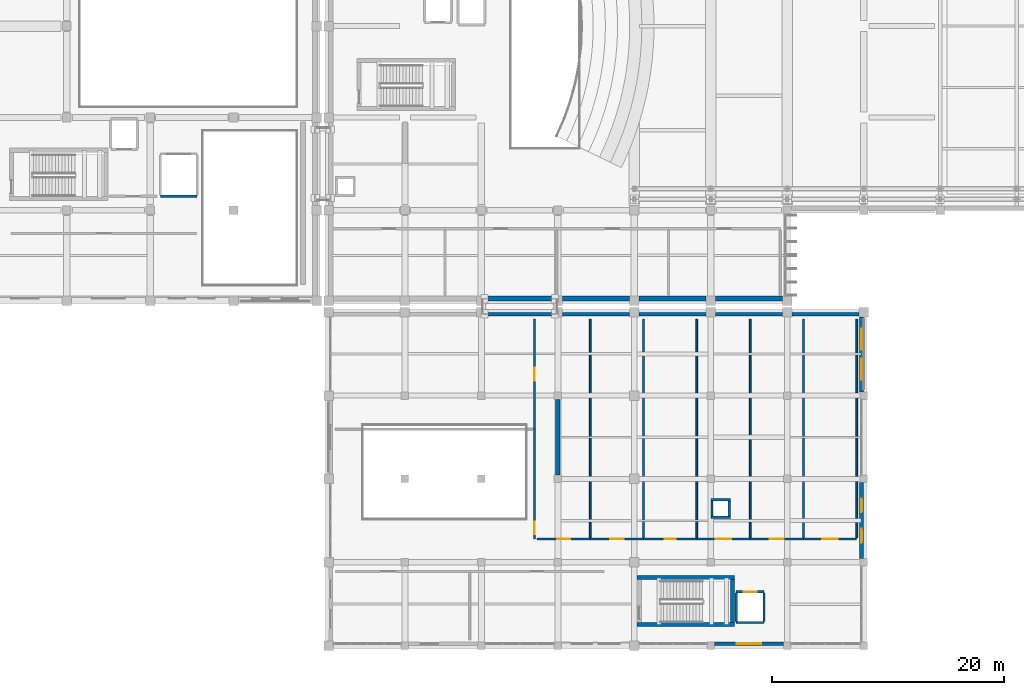
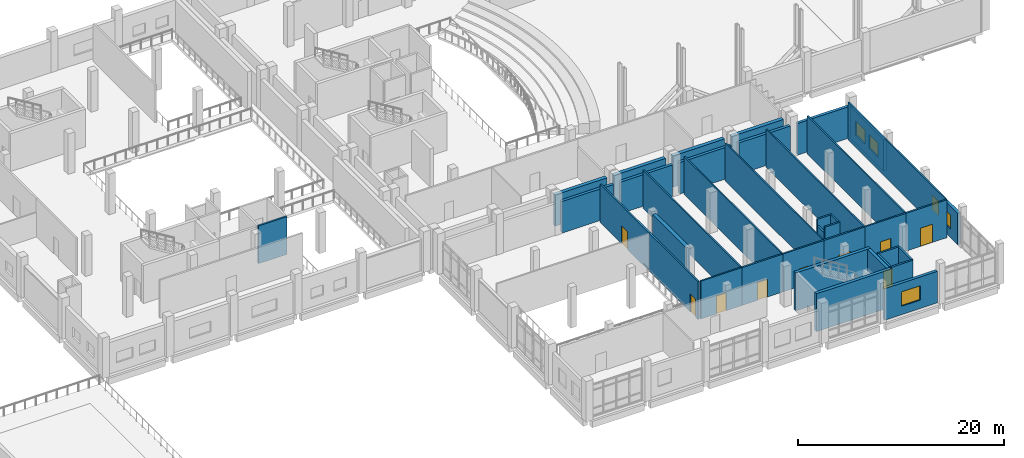
# One storey, part 51 of 73: 39 walls, 9 doors, 5 windows, 14 openings.
"""IFC4 building model written with IfcOpenShell, lengths in metres."""

from ifc_helpers import new_model, si_unit, direction, frame, frame_2d, origin, place, context, subcontext, project, spatial, rectangle, extrude, material, layer, layer_set, type_object, element, fill, save


model = new_model("IFC4")

# Units and contexts
model_context = context("Model", 3, precision=1e-05, world=origin(), true_north=direction((0.0, 1.0)))
body_context = subcontext(model_context, "Body", "Model", "MODEL_VIEW")
ifc_project = project(units=[si_unit("LENGTHUNIT", "METRE"), si_unit("AREAUNIT", "SQUARE_METRE"), si_unit("VOLUMEUNIT", "CUBIC_METRE"), si_unit("PLANEANGLEUNIT", "RADIAN"), si_unit("MASSUNIT", "GRAM", prefix="KILO")], contexts=[model_context])

# Site, building, storey
site_placement = place(None, origin())
site = spatial("IfcSite", under=ifc_project, at=site_placement, CompositionType="ELEMENT")
building_placement = place(site_placement, origin())
building = spatial("IfcBuilding", under=site, at=building_placement, Name="Kelarvand Opera House", CompositionType="ELEMENT")
storey_placement = place(building_placement, frame((0.0, 0.0, 10.199951171875)))
storey = spatial("IfcBuildingStorey", under=building, at=storey_placement, Name="L02", CompositionType="ELEMENT", Elevation=10.199951171875)

# Walls
ifc_material_1 = material(Name="Concrete C35/45", Category="concrete")
ifc_layer_1 = layer(ifc_material_1, 0.39990234375, Name="Concrete C35/45", Category="concrete")
ifc_layer_set_1 = layer_set([ifc_layer_1], Name="Concrete C35/45")
wall_type_1 = type_object("IfcWallType", Name="Acoustic Brick-Travertine Double Wall 400", PredefinedType="SOLIDWALL", material=ifc_layer_set_1)
for number, where, z_axis, x_axis, name in (
    (1, (128.18994140625, 38.97998046875, 0.0), (0.0, 0.0, 1.0), (-1.0, 0.0, 0.0), "V1 L02 Exterior Wall EW-400 (105)"),
    (2, (121.590087890625, 38.97998046875, 0.0), (0.0, 0.0, 1.0), (-1.0, 0.0, 0.0), "V1 L02 Exterior Wall EW-400 (106)"),
    (3, (114.989990234375, 38.97998046875, 0.0), (0.0, 0.0, 1.0), (-1.0, 0.0, 0.0), "V1 L02 Exterior Wall EW-400 (107)"),
):
    element("IfcWall", number, at=place(storey_placement, frame(where, z_axis=z_axis, x_axis=x_axis)), inside=storey, type_object=wall_type_1, Name=name, PredefinedType="SOLIDWALL", context=body_context, shape_type="SweptSolid", body=[
        extrude(rectangle(XDim=5.780029296875, YDim=0.39990234375, at=frame_2d((2.89013671875, 0.0))), origin(), (0.0, 0.0, 1.0), 3.72216796875),
    ])
wall_1_placement = place(storey_placement, frame((108.389892578125, 38.97998046875, 0.0), z_axis=(0.0, 0.0, 1.0), x_axis=(-1.0, 0.0, 0.0)))
element("IfcWall", 4, at=wall_1_placement, inside=storey, type_object=wall_type_1, Name="V1 L02 Exterior Wall EW-400 (108)", PredefinedType="SOLIDWALL", context=body_context, shape_type="SweptSolid", body=[
    extrude(rectangle(XDim=5.77978515625, YDim=0.39990234375, at=frame_2d((2.889892578125, 0.0))), origin(), (0.0, 0.0, 1.0), 3.72216796875),
])
ifc_material_2 = material(Name="Acoustic double-stud gypsum partition")
ifc_layer_2 = layer(ifc_material_2, 0.14990234375, Name="Acoustic double-stud gypsum partition")
ifc_layer_set_2 = layer_set([ifc_layer_2], Name="Acoustic double-stud gypsum partition")
wall_type_2 = type_object("IfcWallType", Name="Acoustic Room Partition Wall 150", PredefinedType="PARTITIONING", material=ifc_layer_set_2)
for number, where, z_axis, x_axis, name in (
    (5, (111.60009765625, 18.340087890625, 0.0), (0.0, 0.0, 1.0), (0.0, 1.0, 0.0), "V6 L02 Partition Wall IW-150 (536)"),
    (6, (116.199951171875, 18.340087890625, 0.0), (0.0, 0.0, 1.0), (0.0, 1.0, 0.0), "V6 L02 Partition Wall IW-150 (538)"),
    (7, (120.800048828125, 18.340087890625, 0.0), (0.0, 0.0, 1.0), (0.0, 1.0, 0.0), "V6 L02 Partition Wall IW-150 (540)"),
    (8, (125.39990234375, 18.340087890625, 0.0), (0.0, 0.0, 1.0), (0.0, 1.0, 0.0), "V6 L02 Partition Wall IW-150 (542)"),
    (9, (130.0, 18.340087890625, 0.0), (0.0, 0.0, 1.0), (0.0, 1.0, 0.0), "V6 L02 Partition Wall IW-150 (544)"),
    (10, (134.60009765625, 18.340087890625, 0.0), (0.0, 0.0, 1.0), (0.0, 1.0, 0.0), "V6 L02 Partition Wall IW-150 (545)"),
):
    element("IfcWall", number, at=place(storey_placement, frame(where, z_axis=z_axis, x_axis=x_axis)), inside=storey, type_object=wall_type_2, Name=name, PredefinedType="PARTITIONING", context=body_context, shape_type="SweptSolid", body=[
        extrude(rectangle(XDim=18.85986328125, YDim=0.14990234375, at=frame_2d((9.429931640625, 0.0))), origin(), (0.0, 0.0, 1.0), 4.491943359375),
    ])
ifc_material_3 = material(Name="Concrete C40/50", Category="concrete")
ifc_layer_3 = layer(ifc_material_3, 0.35009765625, Name="Concrete C40/50", Category="concrete")
ifc_layer_set_3 = layer_set([ifc_layer_3], Name="Concrete C40/50")
wall_type_3 = type_object("IfcWallType", Name="Core Stair and Lift Shear Wall 350", PredefinedType="SHEAR", material=ifc_layer_set_3)
for number, where, z_axis, x_axis, name in (
    (11, (115.64990234375, 10.824951171875, 0.0), (0.0, 0.0, 1.0), (1.0, 0.0, 0.0), "C8 Stair Core Shear Wall S L02"),
    (12, (124.050048828125, 14.875, 0.0), (0.0, 0.0, 1.0), (-1.0, 0.0, 0.0), "C8 Stair Core Shear Wall N L02"),
):
    element("IfcWall", number, at=place(storey_placement, frame(where, z_axis=z_axis, x_axis=x_axis)), inside=storey, type_object=wall_type_3, Name=name, PredefinedType="SHEAR", context=body_context, shape_type="SweptSolid", body=[
        extrude(rectangle(XDim=8.400146484375, YDim=0.35009765625, at=frame_2d((4.2001953125, 0.0))), origin(), (0.0, 0.0, 1.0), 4.5),
    ])
wall_2_placement = place(storey_placement, frame((123.875, 14.699951171875, 0.0), z_axis=(0.0, 0.0, 1.0), x_axis=(0.0, -1.0, 0.0)))
element("IfcWall", 13, at=wall_2_placement, inside=storey, type_object=wall_type_3, Name="C8 Stair Core Shear Wall E L02", PredefinedType="SHEAR", context=body_context, shape_type="SweptSolid", body=[
    extrude(rectangle(XDim=3.699951171875, YDim=0.35009765625, at=frame_2d((1.85009765625, 0.0))), origin(), (0.0, 0.0, 1.0), 4.5),
])

# Wall, opening, door
ifc_layer_4 = layer(ifc_material_1, 0.179931640625, Name="Concrete C35/45", Category="concrete")
ifc_layer_set_4 = layer_set([ifc_layer_4], Name="Concrete C35/45")
wall_type_4 = type_object("IfcWallType", Name="Corridor Fire-Rated Partition Wall 180 EI90", PredefinedType="PARTITIONING", material=ifc_layer_set_4)
wall_3_placement = place(storey_placement, frame((106.800048828125, 18.199951171875, 0.0), z_axis=(0.0, 0.0, 1.0), x_axis=(0.0, 1.0, 0.0)))
wall_3 = element("IfcWall", 14, at=wall_3_placement, inside=storey, type_object=wall_type_4, Name="V6 L02 Partition Wall IW-90 (532)", PredefinedType="PARTITIONING", context=body_context, shape_type="SweptSolid", body=[
    extrude(rectangle(XDim=9.5, YDim=0.179931640625, at=frame_2d((4.75, 0.0))), origin(), (0.0, 0.0, 1.0), 4.491943359375),
])
opening_1_placement = place(wall_3_placement, frame((0.43994140625, 0.0, 0.0)))
opening_1 = element("IfcOpeningElement", 15, at=opening_1_placement, cuts=wall_3, Name="Opening D-02", PredefinedType="OPENING", context=body_context, shape_type="SweptSolid", body=[
    extrude(rectangle(XDim=1.050048828125, YDim=2.10009765625, at=frame_2d((0.52490234375, 1.050048828125))), frame((0.0, 0.10009765625, 0.0), z_axis=(0.0, -1.0, 0.0), x_axis=(1.0, 0.0, 0.0)), (0.0, 0.0, 1.0), 0.199951171875),
])
ifc_material_4 = material(Name="Acoustic walnut-veneered hardwood", Category="wood")
door_type_1 = type_object("IfcDoorType", Name="Acoustic Studio Single Door 1050x2100", OperationType="NOTDEFINED", PredefinedType="DOOR", material=ifc_material_4)
door_1_placement = place(opening_1_placement, origin())
door_1 = element("IfcDoor", 16, at=door_1_placement, inside=storey, type_object=door_type_1, Name="V6 L02 Door D-02 (239)", OperationType="SINGLE_SWING_LEFT", OverallHeight=2.10009765625, OverallWidth=1.050048828125, PredefinedType="DOOR", context=body_context, shape_type="SweptSolid", body=[
    extrude(rectangle(XDim=1.050048828125, YDim=2.10009765625, at=frame_2d((0.52490234375, 1.050048828125))), frame((0.0, 0.02490234375, 0.0), z_axis=(0.0, -1.0, 0.0), x_axis=(1.0, 0.0, 0.0)), (0.0, 0.0, 1.0), 0.050048828125),
])
fill(opening_1, door_1)

wall_4_placement = place(storey_placement, frame((106.800048828125, 27.699951171875, 0.0), z_axis=(0.0, 0.0, 1.0), x_axis=(0.0, 1.0, 0.0)))
wall_4 = element("IfcWall", 17, at=wall_4_placement, inside=storey, type_object=wall_type_4, Name="V6 L02 Partition Wall IW-90 (534)", PredefinedType="PARTITIONING", context=body_context, shape_type="SweptSolid", body=[
    extrude(rectangle(XDim=9.5, YDim=0.179931640625, at=frame_2d((4.75, 0.0))), origin(), (0.0, 0.0, 1.0), 4.491943359375),
])
opening_2_placement = place(wall_4_placement, frame((4.18994140625, 0.0, 0.0)))
opening_2 = element("IfcOpeningElement", 18, at=opening_2_placement, cuts=wall_4, Name="Opening D-10", PredefinedType="OPENING", context=body_context, shape_type="SweptSolid", body=[
    extrude(rectangle(XDim=1.1201171875, YDim=2.1201171875, at=frame_2d((0.56005859375, 1.06005859375))), frame((0.0, 0.10009765625, 0.0), z_axis=(0.0, -1.0, 0.0), x_axis=(1.0, 0.0, 0.0)), (0.0, 0.0, 1.0), 0.199951171875),
])
door_type_2 = type_object("IfcDoorType", Name="Chorus Studio Single Door 1120x2120", OperationType="NOTDEFINED", PredefinedType="DOOR", material=ifc_material_4)
door_2_placement = place(opening_2_placement, origin())
door_2 = element("IfcDoor", 19, at=door_2_placement, inside=storey, type_object=door_type_2, Name="V6 L02 Door D-10 (240)", OperationType="SINGLE_SWING_RIGHT", OverallHeight=2.1201171875, OverallWidth=1.1201171875, PredefinedType="DOOR", context=body_context, shape_type="SweptSolid", body=[
    extrude(rectangle(XDim=1.1201171875, YDim=2.1201171875, at=frame_2d((0.56005859375, 1.06005859375))), frame((0.0, 0.02490234375, 0.0), z_axis=(0.0, -1.0, 0.0), x_axis=(1.0, 0.0, 0.0)), (0.0, 0.0, 1.0), 0.050048828125),
])
fill(opening_2, door_2)

wall_5_placement = place(storey_placement, frame((107.0, 18.199951171875, 0.0), z_axis=(0.0, 0.0, 1.0), x_axis=(1.0, 0.0, 0.0)))
wall_5 = element("IfcWall", 20, at=wall_5_placement, inside=storey, type_object=wall_type_4, Name="V6 L02 Partition Wall IW-90 (535)", PredefinedType="PARTITIONING", context=body_context, shape_type="SweptSolid", body=[
    extrude(rectangle(XDim=4.60009765625, YDim=0.179931640625, at=frame_2d((2.300048828125, 0.0))), origin(), (0.0, 0.0, 1.0), 4.491943359375),
])
opening_3_placement = place(wall_5_placement, frame((1.739990234375, 0.0, 0.0)))
opening_3 = element("IfcOpeningElement", 21, at=opening_3_placement, cuts=wall_5, Name="Opening D-10", PredefinedType="OPENING", context=body_context, shape_type="SweptSolid", body=[
    extrude(rectangle(XDim=1.1201171875, YDim=2.1201171875, at=frame_2d((0.56005859375, 1.06005859375))), frame((0.0, 0.10009765625, 0.0), z_axis=(0.0, -1.0, 0.0), x_axis=(1.0, 0.0, 0.0)), (0.0, 0.0, 1.0), 0.199951171875),
])
door_3_placement = place(opening_3_placement, origin())
door_3 = element("IfcDoor", 22, at=door_3_placement, inside=storey, type_object=door_type_2, Name="V6 L02 Door D-10 (241)", OperationType="SINGLE_SWING_LEFT", OverallHeight=2.1201171875, OverallWidth=1.1201171875, PredefinedType="DOOR", context=body_context, shape_type="SweptSolid", body=[
    extrude(rectangle(XDim=1.1201171875, YDim=2.1201171875, at=frame_2d((0.56005859375, 1.06005859375))), frame((0.0, 0.02490234375, 0.0), z_axis=(0.0, -1.0, 0.0), x_axis=(1.0, 0.0, 0.0)), (0.0, 0.0, 1.0), 0.050048828125),
])
fill(opening_3, door_3)

wall_6_placement = place(storey_placement, frame((111.60009765625, 18.199951171875, 0.0), z_axis=(0.0, 0.0, 1.0), x_axis=(1.0, 0.0, 0.0)))
wall_6 = element("IfcWall", 23, at=wall_6_placement, inside=storey, type_object=wall_type_4, Name="V6 L02 Partition Wall IW-90 (537)", PredefinedType="PARTITIONING", context=body_context, shape_type="SweptSolid", body=[
    extrude(rectangle(XDim=4.599853515625, YDim=0.179931640625, at=frame_2d((2.2998046875, 0.0))), origin(), (0.0, 0.0, 1.0), 4.491943359375),
])
opening_4_placement = place(wall_6_placement, frame((1.719970703125, 0.0, 0.0)))
opening_4 = element("IfcOpeningElement", 24, at=opening_4_placement, cuts=wall_6, Name="Opening D-20", PredefinedType="OPENING", context=body_context, shape_type="SweptSolid", body=[
    extrude(rectangle(XDim=1.159912109375, YDim=2.10009765625, at=frame_2d((0.580078125, 1.050048828125))), frame((0.0, 0.10009765625, 0.0), z_axis=(0.0, -1.0, 0.0), x_axis=(1.0, 0.0, 0.0)), (0.0, 0.0, 1.0), 0.199951171875),
])
door_type_3 = type_object("IfcDoorType", Name="Library Reading Room Door 1160x2100", OperationType="NOTDEFINED", PredefinedType="DOOR", material=ifc_material_4)
door_4_placement = place(opening_4_placement, origin())
door_4 = element("IfcDoor", 25, at=door_4_placement, inside=storey, type_object=door_type_3, Name="V6 L02 Door D-20 (242)", OperationType="SINGLE_SWING_RIGHT", OverallHeight=2.10009765625, OverallWidth=1.159912109375, PredefinedType="DOOR", context=body_context, shape_type="SweptSolid", body=[
    extrude(rectangle(XDim=1.159912109375, YDim=2.10009765625, at=frame_2d((0.580078125, 1.050048828125))), frame((0.0, 0.02490234375, 0.0), z_axis=(0.0, -1.0, 0.0), x_axis=(1.0, 0.0, 0.0)), (0.0, 0.0, 1.0), 0.050048828125),
])
fill(opening_4, door_4)

wall_7_placement = place(storey_placement, frame((116.199951171875, 18.199951171875, 0.0), z_axis=(0.0, 0.0, 1.0), x_axis=(1.0, 0.0, 0.0)))
wall_7 = element("IfcWall", 26, at=wall_7_placement, inside=storey, type_object=wall_type_4, Name="V6 L02 Partition Wall IW-90 (539)", PredefinedType="PARTITIONING", context=body_context, shape_type="SweptSolid", body=[
    extrude(rectangle(XDim=4.60009765625, YDim=0.179931640625, at=frame_2d((2.300048828125, 0.0))), origin(), (0.0, 0.0, 1.0), 4.491943359375),
])
opening_5_placement = place(wall_7_placement, frame((1.81005859375, 0.0, 0.0)))
opening_5 = element("IfcOpeningElement", 27, at=opening_5_placement, cuts=wall_7, Name="Opening D-09", PredefinedType="OPENING", context=body_context, shape_type="SweptSolid", body=[
    extrude(rectangle(XDim=0.97998046875, YDim=2.080078125, at=frame_2d((0.489990234375, 1.0400390625))), frame((0.0, 0.10009765625, 0.0), z_axis=(0.0, -1.0, 0.0), x_axis=(1.0, 0.0, 0.0)), (0.0, 0.0, 1.0), 0.199951171875),
])
door_type_4 = type_object("IfcDoorType", Name="Soloist Acoustic Timber Door 980x2080", OperationType="NOTDEFINED", PredefinedType="DOOR", material=ifc_material_4)
door_5_placement = place(opening_5_placement, origin())
door_5 = element("IfcDoor", 28, at=door_5_placement, inside=storey, type_object=door_type_4, Name="V6 L02 Door D-09 (243)", OperationType="SINGLE_SWING_LEFT", OverallHeight=2.080078125, OverallWidth=0.97998046875, PredefinedType="DOOR", context=body_context, shape_type="SweptSolid", body=[
    extrude(rectangle(XDim=0.97998046875, YDim=2.080078125, at=frame_2d((0.489990234375, 1.0400390625))), frame((0.0, 0.02490234375, 0.0), z_axis=(0.0, -1.0, 0.0), x_axis=(1.0, 0.0, 0.0)), (0.0, 0.0, 1.0), 0.050048828125),
])
fill(opening_5, door_5)

wall_8_placement = place(storey_placement, frame((120.800048828125, 18.199951171875, 0.0), z_axis=(0.0, 0.0, 1.0), x_axis=(1.0, 0.0, 0.0)))
wall_8 = element("IfcWall", 29, at=wall_8_placement, inside=storey, type_object=wall_type_4, Name="V6 L02 Partition Wall IW-90 (541)", PredefinedType="PARTITIONING", context=body_context, shape_type="SweptSolid", body=[
    extrude(rectangle(XDim=4.599853515625, YDim=0.179931640625, at=frame_2d((2.2998046875, 0.0))), origin(), (0.0, 0.0, 1.0), 4.491943359375),
])
opening_6_placement = place(wall_8_placement, frame((1.625, 0.0, 0.0)))
opening_6 = element("IfcOpeningElement", 30, at=opening_6_placement, cuts=wall_8, Name="Opening D-12", PredefinedType="OPENING", context=body_context, shape_type="SweptSolid", body=[
    extrude(rectangle(XDim=1.35009765625, YDim=2.159912109375, at=frame_2d((0.675048828125, 1.080078125))), frame((0.0, 0.10009765625, 0.0), z_axis=(0.0, -1.0, 0.0), x_axis=(1.0, 0.0, 0.0)), (0.0, 0.0, 1.0), 0.199951171875),
])
door_type_5 = type_object("IfcDoorType", Name="Wardrobe Studio Leaf-and-Half Door 1350x2160", OperationType="NOTDEFINED", PredefinedType="DOOR", material=ifc_material_4)
door_6_placement = place(opening_6_placement, origin())
door_6 = element("IfcDoor", 31, at=door_6_placement, inside=storey, type_object=door_type_5, Name="V6 L02 Door D-12 (244)", OperationType="SINGLE_SWING_RIGHT", OverallHeight=2.159912109375, OverallWidth=1.35009765625, PredefinedType="DOOR", context=body_context, shape_type="SweptSolid", body=[
    extrude(rectangle(XDim=1.35009765625, YDim=2.159912109375, at=frame_2d((0.675048828125, 1.080078125))), frame((0.0, 0.02490234375, 0.0), z_axis=(0.0, -1.0, 0.0), x_axis=(1.0, 0.0, 0.0)), (0.0, 0.0, 1.0), 0.050048828125),
])
fill(opening_6, door_6)

wall_9_placement = place(storey_placement, frame((125.39990234375, 18.199951171875, 0.0), z_axis=(0.0, 0.0, 1.0), x_axis=(1.0, 0.0, 0.0)))
wall_9 = element("IfcWall", 32, at=wall_9_placement, inside=storey, type_object=wall_type_4, Name="V6 L02 Partition Wall IW-90 (543)", PredefinedType="PARTITIONING", context=body_context, shape_type="SweptSolid", body=[
    extrude(rectangle(XDim=4.60009765625, YDim=0.179931640625, at=frame_2d((2.300048828125, 0.0))), origin(), (0.0, 0.0, 1.0), 4.491943359375),
])
opening_7_placement = place(wall_9_placement, frame((1.699951171875, 0.0, 0.0)))
opening_7 = element("IfcOpeningElement", 33, at=opening_7_placement, cuts=wall_9, Name="Opening D-06", PredefinedType="OPENING", context=body_context, shape_type="SweptSolid", body=[
    extrude(rectangle(XDim=1.199951171875, YDim=2.10009765625, at=frame_2d((0.60009765625, 1.050048828125))), frame((0.0, 0.10009765625, 0.0), z_axis=(0.0, -1.0, 0.0), x_axis=(1.0, 0.0, 0.0)), (0.0, 0.0, 1.0), 0.199951171875),
])
door_type_6 = type_object("IfcDoorType", Name="Accessible Suite Timber Door 1200x2100", OperationType="NOTDEFINED", PredefinedType="DOOR", material=ifc_material_4)
door_7_placement = place(opening_7_placement, origin())
door_7 = element("IfcDoor", 34, at=door_7_placement, inside=storey, type_object=door_type_6, Name="V6 L02 Door D-06 (245)", OperationType="SINGLE_SWING_LEFT", OverallHeight=2.10009765625, OverallWidth=1.199951171875, PredefinedType="DOOR", context=body_context, shape_type="SweptSolid", body=[
    extrude(rectangle(XDim=1.199951171875, YDim=2.10009765625, at=frame_2d((0.60009765625, 1.050048828125))), frame((0.0, 0.02490234375, 0.0), z_axis=(0.0, -1.0, 0.0), x_axis=(1.0, 0.0, 0.0)), (0.0, 0.0, 1.0), 0.050048828125),
])
fill(opening_7, door_7)

wall_10_placement = place(storey_placement, frame((130.0, 18.199951171875, 0.0), z_axis=(0.0, 0.0, 1.0), x_axis=(1.0, 0.0, 0.0)))
wall_10 = element("IfcWall", 35, at=wall_10_placement, inside=storey, type_object=wall_type_4, Name="V6 L02 Partition Wall IW-90 (546)", PredefinedType="PARTITIONING", context=body_context, shape_type="SweptSolid", body=[
    extrude(rectangle(XDim=4.60009765625, YDim=0.179931640625, at=frame_2d((2.300048828125, 0.0))), origin(), (0.0, 0.0, 1.0), 4.491943359375),
])
opening_8_placement = place(wall_10_placement, frame((1.625, 0.0, 0.0)))
opening_8 = element("IfcOpeningElement", 36, at=opening_8_placement, cuts=wall_10, Name="Opening D-12", PredefinedType="OPENING", context=body_context, shape_type="SweptSolid", body=[
    extrude(rectangle(XDim=1.35009765625, YDim=2.159912109375, at=frame_2d((0.675048828125, 1.080078125))), frame((0.0, 0.10009765625, 0.0), z_axis=(0.0, -1.0, 0.0), x_axis=(1.0, 0.0, 0.0)), (0.0, 0.0, 1.0), 0.199951171875),
])
door_8_placement = place(opening_8_placement, origin())
door_8 = element("IfcDoor", 37, at=door_8_placement, inside=storey, type_object=door_type_5, Name="V6 L02 Door D-12 (246)", OperationType="SINGLE_SWING_RIGHT", OverallHeight=2.159912109375, OverallWidth=1.35009765625, PredefinedType="DOOR", context=body_context, shape_type="SweptSolid", body=[
    extrude(rectangle(XDim=1.35009765625, YDim=2.159912109375, at=frame_2d((0.675048828125, 1.080078125))), frame((0.0, 0.02490234375, 0.0), z_axis=(0.0, -1.0, 0.0), x_axis=(1.0, 0.0, 0.0)), (0.0, 0.0, 1.0), 0.050048828125),
])
fill(opening_8, door_8)

# Wall, openings, windows
ifc_layer_5 = layer(ifc_material_1, 0.320068359375, Name="Concrete C35/45", Category="concrete")
ifc_layer_set_5 = layer_set([ifc_layer_5], Name="Concrete C35/45")
wall_type_5 = type_object("IfcWallType", Name="Insulated Buff Brick Cavity Wall 320", PredefinedType="SOLIDWALL", material=ifc_layer_set_5)
wall_11_placement = place(storey_placement, frame((135.02001953125, 37.389892578125, 0.0), z_axis=(0.0, 0.0, 1.0), x_axis=(0.0, -1.0, 0.0)))
wall_11 = element("IfcWall", 38, at=wall_11_placement, inside=storey, type_object=wall_type_5, Name="V6 L02 Exterior Wall EW-320 (735)", PredefinedType="SOLIDWALL", context=body_context, shape_type="SweptSolid", body=[
    extrude(rectangle(XDim=6.46484375, YDim=0.320068359375, at=frame_2d((3.232421875, 0.0))), origin(), (0.0, 0.0, 1.0), 3.741943359375),
])
opening_9_placement = place(wall_11_placement, frame((1.0390625, 0.0, 1.0)))
opening_9 = element("IfcOpeningElement", 39, at=opening_9_placement, cuts=wall_11, Name="Opening WN-18", PredefinedType="OPENING", context=body_context, shape_type="SweptSolid", body=[
    extrude(rectangle(XDim=1.800048828125, YDim=1.699951171875, at=frame_2d((0.89990234375, 0.85009765625))), frame((0.0, 0.169921875, 0.0), z_axis=(0.0, -1.0, 0.0), x_axis=(1.0, 0.0, 0.0)), (0.0, 0.0, 1.0), 0.340087890625),
])
opening_10_placement = place(wall_11_placement, frame((3.625, 0.0, 1.0)))
opening_10 = element("IfcOpeningElement", 40, at=opening_10_placement, cuts=wall_11, Name="Opening WN-18", PredefinedType="OPENING", context=body_context, shape_type="SweptSolid", body=[
    extrude(rectangle(XDim=1.800048828125, YDim=1.699951171875, at=frame_2d((0.89990234375, 0.85009765625))), frame((0.0, 0.169921875, 0.0), z_axis=(0.0, -1.0, 0.0), x_axis=(1.0, 0.0, 0.0)), (0.0, 0.0, 1.0), 0.340087890625),
])
ifc_material_5 = material(Name="Thermally broken aluminium and low-E double glazing", Category="aluminium")
window_type_1 = type_object("IfcWindowType", Name="Recessed Aluminium Thermal Window 1800x1700 WN-18", PartitioningType="SINGLE_PANEL", PredefinedType="WINDOW", material=ifc_material_5)
window_1_placement = place(opening_9_placement, origin())
window_1 = element("IfcWindow", 41, at=window_1_placement, inside=storey, type_object=window_type_1, Name="V6 L02 Facade Window WN-18 (340)", OverallHeight=1.699951171875, OverallWidth=1.800048828125, PartitioningType="SINGLE_PANEL", PredefinedType="WINDOW", context=body_context, shape_type="SweptSolid", body=[
    extrude(rectangle(XDim=1.800048828125, YDim=1.699951171875, at=frame_2d((0.89990234375, 0.85009765625))), frame((0.0, 0.030029296875, 0.0), z_axis=(0.0, -1.0, 0.0), x_axis=(1.0, 0.0, 0.0)), (0.0, 0.0, 1.0), 0.06005859375),
])
fill(opening_9, window_1)
window_2_placement = place(opening_10_placement, origin())
window_2 = element("IfcWindow", 42, at=window_2_placement, inside=storey, type_object=window_type_1, Name="V6 L02 Facade Window WN-18 (341)", OverallHeight=1.699951171875, OverallWidth=1.800048828125, PartitioningType="SINGLE_PANEL", PredefinedType="WINDOW", context=body_context, shape_type="SweptSolid", body=[
    extrude(rectangle(XDim=1.800048828125, YDim=1.699951171875, at=frame_2d((0.89990234375, 0.85009765625))), frame((0.0, 0.030029296875, 0.0), z_axis=(0.0, -1.0, 0.0), x_axis=(1.0, 0.0, 0.0)), (0.0, 0.0, 1.0), 0.06005859375),
])
fill(opening_10, window_2)

wall_12_placement = place(storey_placement, frame((135.02001953125, 23.074951171875, 0.0), z_axis=(0.0, 0.0, 1.0), x_axis=(0.0, -1.0, 0.0)))
wall_12 = element("IfcWall", 43, at=wall_12_placement, inside=storey, type_object=wall_type_5, Name="V6 L02 Exterior Wall EW-320 (736)", PredefinedType="SOLIDWALL", context=body_context, shape_type="SweptSolid", body=[
    extrude(rectangle(XDim=6.550048828125, YDim=0.320068359375, at=frame_2d((3.27490234375, 0.0))), origin(), (0.0, 0.0, 1.0), 3.741943359375),
])
opening_11_placement = place(wall_12_placement, frame((1.364990234375, 0.0, 1.0)))
opening_11 = element("IfcOpeningElement", 44, at=opening_11_placement, cuts=wall_12, Name="Opening WN-16", PredefinedType="OPENING", context=body_context, shape_type="SweptSolid", body=[
    extrude(rectangle(XDim=1.199951171875, YDim=1.699951171875, at=frame_2d((0.60009765625, 0.85009765625))), frame((0.0, 0.169921875, 0.0), z_axis=(0.0, -1.0, 0.0), x_axis=(1.0, 0.0, 0.0)), (0.0, 0.0, 1.0), 0.340087890625),
])
opening_12_placement = place(wall_12_placement, frame((3.985107421875, 0.0, 1.0)))
opening_12 = element("IfcOpeningElement", 45, at=opening_12_placement, cuts=wall_12, Name="Opening WN-16", PredefinedType="OPENING", context=body_context, shape_type="SweptSolid", body=[
    extrude(rectangle(XDim=1.199951171875, YDim=1.699951171875, at=frame_2d((0.60009765625, 0.85009765625))), frame((0.0, 0.169921875, 0.0), z_axis=(0.0, -1.0, 0.0), x_axis=(1.0, 0.0, 0.0)), (0.0, 0.0, 1.0), 0.340087890625),
])
window_type_2 = type_object("IfcWindowType", Name="Recessed Aluminium Thermal Window 1200x1700 WN-16", PartitioningType="SINGLE_PANEL", PredefinedType="WINDOW", material=ifc_material_5)
window_3_placement = place(opening_11_placement, origin())
window_3 = element("IfcWindow", 46, at=window_3_placement, inside=storey, type_object=window_type_2, Name="V6 L02 Facade Window WN-16 (342)", OverallHeight=1.699951171875, OverallWidth=1.199951171875, PartitioningType="SINGLE_PANEL", PredefinedType="WINDOW", context=body_context, shape_type="SweptSolid", body=[
    extrude(rectangle(XDim=1.199951171875, YDim=1.699951171875, at=frame_2d((0.60009765625, 0.85009765625))), frame((0.0, 0.030029296875, 0.0), z_axis=(0.0, -1.0, 0.0), x_axis=(1.0, 0.0, 0.0)), (0.0, 0.0, 1.0), 0.06005859375),
])
fill(opening_11, window_3)
window_4_placement = place(opening_12_placement, origin())
window_4 = element("IfcWindow", 47, at=window_4_placement, inside=storey, type_object=window_type_2, Name="V6 L02 Facade Window WN-16 (343)", OverallHeight=1.699951171875, OverallWidth=1.199951171875, PartitioningType="SINGLE_PANEL", PredefinedType="WINDOW", context=body_context, shape_type="SweptSolid", body=[
    extrude(rectangle(XDim=1.199951171875, YDim=1.699951171875, at=frame_2d((0.60009765625, 0.85009765625))), frame((0.0, 0.030029296875, 0.0), z_axis=(0.0, -1.0, 0.0), x_axis=(1.0, 0.0, 0.0)), (0.0, 0.0, 1.0), 0.06005859375),
])
fill(opening_12, window_4)

# Walls
wall_13_placement = place(storey_placement, frame((102.610107421875, 37.6201171875, 0.0), z_axis=(0.0, 0.0, 1.0), x_axis=(1.0, 0.0, 0.0)))
element("IfcWall", 48, at=wall_13_placement, inside=storey, type_object=wall_type_5, Name="V6 L02 Exterior Wall EW-320 (739)", PredefinedType="SOLIDWALL", context=body_context, shape_type="SweptSolid", body=[
    extrude(rectangle(XDim=5.77978515625, YDim=0.320068359375, at=frame_2d((2.889892578125, 0.0))), origin(), (0.0, 0.0, 1.0), 3.741943359375),
])
for number, where, z_axis, x_axis, name in (
    (49, (109.2099609375, 37.6201171875, 0.0), (0.0, 0.0, 1.0), (1.0, 0.0, 0.0), "V6 L02 Exterior Wall EW-320 (740)"),
    (50, (115.81005859375, 37.6201171875, 0.0), (0.0, 0.0, 1.0), (1.0, 0.0, 0.0), "V6 L02 Exterior Wall EW-320 (741)"),
    (51, (122.409912109375, 37.6201171875, 0.0), (0.0, 0.0, 1.0), (1.0, 0.0, 0.0), "V6 L02 Exterior Wall EW-320 (742)"),
    (52, (129.010009765625, 37.6201171875, 0.0), (0.0, 0.0, 1.0), (1.0, 0.0, 0.0), "V6 L02 Exterior Wall EW-320 (743)"),
):
    element("IfcWall", number, at=place(storey_placement, frame(where, z_axis=z_axis, x_axis=x_axis)), inside=storey, type_object=wall_type_5, Name=name, PredefinedType="SOLIDWALL", context=body_context, shape_type="SweptSolid", body=[
        extrude(rectangle(XDim=5.780029296875, YDim=0.320068359375, at=frame_2d((2.89013671875, 0.0))), origin(), (0.0, 0.0, 1.0), 3.741943359375),
    ])

# Wall, opening, window
wall_14_placement = place(storey_placement, frame((128.27490234375, 9.179931640625, 0.0), z_axis=(0.0, 0.0, 1.0), x_axis=(-1.0, 0.0, 0.0)))
wall_14 = element("IfcWall", 53, at=wall_14_placement, inside=storey, type_object=wall_type_5, Name="V6 L02 Exterior Wall EW-320 (746)", PredefinedType="SOLIDWALL", context=body_context, shape_type="SweptSolid", body=[
    extrude(rectangle(XDim=5.949951171875, YDim=0.320068359375, at=frame_2d((2.97509765625, 0.0))), origin(), (0.0, 0.0, 1.0), 3.741943359375),
])
opening_13_placement = place(wall_14_placement, frame((1.925048828125, 0.0, 1.0)))
opening_13 = element("IfcOpeningElement", 54, at=opening_13_placement, cuts=wall_14, Name="Opening WN-19", PredefinedType="OPENING", context=body_context, shape_type="SweptSolid", body=[
    extrude(rectangle(XDim=2.10009765625, YDim=1.699951171875, at=frame_2d((1.050048828125, 0.85009765625))), frame((0.0, 0.169921875, 0.0), z_axis=(0.0, -1.0, 0.0), x_axis=(1.0, 0.0, 0.0)), (0.0, 0.0, 1.0), 0.340087890625),
])
window_type_3 = type_object("IfcWindowType", Name="Recessed Aluminium Thermal Window 2100x1700 WN-19", PartitioningType="SINGLE_PANEL", PredefinedType="WINDOW", material=ifc_material_5)
window_5_placement = place(opening_13_placement, origin())
window_5 = element("IfcWindow", 55, at=window_5_placement, inside=storey, type_object=window_type_3, Name="V6 L02 Facade Window WN-19 (347)", OverallHeight=1.699951171875, OverallWidth=2.10009765625, PartitioningType="SINGLE_PANEL", PredefinedType="WINDOW", context=body_context, shape_type="SweptSolid", body=[
    extrude(rectangle(XDim=2.10009765625, YDim=1.699951171875, at=frame_2d((1.050048828125, 0.85009765625))), frame((0.0, 0.030029296875, 0.0), z_axis=(0.0, -1.0, 0.0), x_axis=(1.0, 0.0, 0.0)), (0.0, 0.0, 1.0), 0.06005859375),
])
fill(opening_13, window_5)

# Walls
ifc_layer_6 = layer(ifc_material_1, 0.199951171875, Name="Concrete C35/45", Category="concrete")
ifc_layer_set_6 = layer_set([ifc_layer_6], Name="Concrete C35/45")
wall_type_6 = type_object("IfcWallType", Name="Lift and Riser Shaft Enclosure Wall 200 EI120", PredefinedType="PARTITIONING", material=ifc_layer_set_6)
for number, where, z_axis, x_axis, name in (
    (56, (122.0, 20.10009765625, 0.0), (0.0, 0.0, 1.0), (1.0, 0.0, 0.0), "RSR-V6 L02 Riser Shaft Wall 149"),
    (57, (123.699951171875, 21.60009765625, 0.0), (0.0, 0.0, 1.0), (-1.0, 0.0, 0.0), "RSR-V6 L02 Riser Shaft Wall 150"),
):
    element("IfcWall", number, at=place(storey_placement, frame(where, z_axis=z_axis, x_axis=x_axis)), inside=storey, type_object=wall_type_6, Name=name, PredefinedType="PARTITIONING", context=body_context, shape_type="SweptSolid", body=[
        extrude(rectangle(XDim=1.699951171875, YDim=0.199951171875, at=frame_2d((0.85009765625, 0.0))), origin(), (0.0, 0.0, 1.0), 4.5),
    ])
wall_15_placement = place(storey_placement, frame((122.10009765625, 20.199951171875, 0.0), z_axis=(0.0, 0.0, 1.0), x_axis=(0.0, 1.0, 0.0)))
element("IfcWall", 58, at=wall_15_placement, inside=storey, type_object=wall_type_6, Name="RSR-V6 L02 Riser Shaft Wall 151", PredefinedType="PARTITIONING", context=body_context, shape_type="SweptSolid", body=[
    extrude(rectangle(XDim=1.300048828125, YDim=0.199951171875, at=frame_2d((0.64990234375, 0.0))), origin(), (0.0, 0.0, 1.0), 3.741943359375),
])
wall_16_placement = place(storey_placement, frame((123.60009765625, 21.5, 0.0), z_axis=(0.0, 0.0, 1.0), x_axis=(0.0, -1.0, 0.0)))
element("IfcWall", 59, at=wall_16_placement, inside=storey, type_object=wall_type_6, Name="RSR-V6 L02 Riser Shaft Wall 152", PredefinedType="PARTITIONING", context=body_context, shape_type="SweptSolid", body=[
    extrude(rectangle(XDim=1.300048828125, YDim=0.199951171875, at=frame_2d((0.64990234375, 0.0))), origin(), (0.0, 0.0, 1.0), 4.5),
])
wall_17_placement = place(storey_placement, frame((74.5, 47.800048828125, 0.0), z_axis=(0.0, 0.0, 1.0), x_axis=(1.0, 0.0, 0.0)))
element("IfcWall", 60, at=wall_17_placement, inside=storey, type_object=wall_type_6, Name="V2 L02 Partition Wall SW-200 (454)", PredefinedType="PARTITIONING", context=body_context, shape_type="SweptSolid", body=[
    extrude(rectangle(XDim=3.14990234375, YDim=0.199951171875, at=frame_2d((1.574951171875, 0.0))), origin(), (0.0, 0.0, 1.0), 4.47216796875),
])
wall_18_placement = place(storey_placement, frame((124.199951171875, 11.0, 0.0), z_axis=(0.0, 0.0, 1.0), x_axis=(1.0, 0.0, 0.0)))
element("IfcWall", 61, at=wall_18_placement, inside=storey, type_object=wall_type_6, Name="V6 L02 Partition Wall SW-200 (470)", PredefinedType="PARTITIONING", context=body_context, shape_type="SweptSolid", body=[
    extrude(rectangle(XDim=2.400146484375, YDim=0.199951171875, at=frame_2d((1.2001953125, 0.0))), origin(), (0.0, 0.0, 1.0), 4.491943359375),
])

# Wall, opening, door
wall_19_placement = place(storey_placement, frame((126.60009765625, 13.64990234375, 0.0), z_axis=(0.0, 0.0, 1.0), x_axis=(-1.0, 0.0, 0.0)))
wall_19 = element("IfcWall", 62, at=wall_19_placement, inside=storey, type_object=wall_type_6, Name="V6 L02 Partition Wall SW-200 (471)", PredefinedType="PARTITIONING", context=body_context, shape_type="SweptSolid", body=[
    extrude(rectangle(XDim=2.400146484375, YDim=0.199951171875, at=frame_2d((1.2001953125, 0.0))), origin(), (0.0, 0.0, 1.0), 4.491943359375),
])
opening_14_placement = place(wall_19_placement, frame((0.64990234375, 0.0, 0.0)))
opening_14 = element("IfcOpeningElement", 63, at=opening_14_placement, cuts=wall_19, Name="Opening LD-01", PredefinedType="OPENING", context=body_context, shape_type="SweptSolid", body=[
    extrude(rectangle(XDim=1.10009765625, YDim=2.14990234375, at=frame_2d((0.550048828125, 1.074951171875))), frame((0.0, 0.10986328125, 0.0), z_axis=(0.0, -1.0, 0.0), x_axis=(1.0, 0.0, 0.0)), (0.0, 0.0, 1.0), 0.219970703125),
])
ifc_material_6 = material(Name="Fire-rated brushed stainless steel", Category="steel")
door_type_7 = type_object("IfcDoorType", Name="Passenger Lift Sliding Landing Door 1100x2150", OperationType="SLIDING_TO_LEFT", PredefinedType="DOOR", material=ifc_material_6)
door_9_placement = place(opening_14_placement, origin())
door_9 = element("IfcDoor", 64, at=door_9_placement, inside=storey, type_object=door_type_7, Name="V6 L02 Door LD-01 (207)", OperationType="SLIDING_TO_LEFT", OverallHeight=2.14990234375, OverallWidth=1.10009765625, PredefinedType="DOOR", context=body_context, shape_type="SweptSolid", body=[
    extrude(rectangle(XDim=1.10009765625, YDim=2.14990234375, at=frame_2d((0.550048828125, 1.074951171875))), frame((0.0, 0.02490234375, 0.0), z_axis=(0.0, -1.0, 0.0), x_axis=(1.0, 0.0, 0.0)), (0.0, 0.0, 1.0), 0.050048828125),
])
fill(opening_14, door_9)

# Walls
for number, where, z_axis, x_axis, name in (
    (65, (124.199951171875, 11.10009765625, 0.0), (0.0, 0.0, 1.0), (0.0, 1.0, 0.0), "V6 L02 Partition Wall SW-200 (472)"),
    (66, (126.60009765625, 13.550048828125, 0.0), (0.0, 0.0, 1.0), (0.0, -1.0, 0.0), "V6 L02 Partition Wall SW-200 (473)"),
):
    element("IfcWall", number, at=place(storey_placement, frame(where, z_axis=z_axis, x_axis=x_axis)), inside=storey, type_object=wall_type_6, Name=name, PredefinedType="PARTITIONING", context=body_context, shape_type="SweptSolid", body=[
        extrude(rectangle(XDim=2.449951171875, YDim=0.199951171875, at=frame_2d((1.22509765625, 0.0))), origin(), (0.0, 0.0, 1.0), 4.491943359375),
    ])
ifc_layer_7 = layer(ifc_material_3, 0.39990234375, Name="Concrete C40/50", Category="concrete")
ifc_layer_set_7 = layer_set([ifc_layer_7], Name="Concrete C40/50")
wall_type_7 = type_object("IfcWallType", Name="Seismic Compartment Shear Wall 400", PredefinedType="SHEAR", material=ifc_layer_set_7)
wall_20_placement = place(storey_placement, frame((108.800048828125, 23.72509765625, 0.0), z_axis=(0.0, 0.0, 1.0), x_axis=(0.0, 1.0, 0.0)))
element("IfcWall", 67, at=wall_20_placement, inside=storey, type_object=wall_type_7, Name="V6 Shear Wall CW-120 L02", PredefinedType="SHEAR", context=body_context, shape_type="SweptSolid", body=[
    extrude(rectangle(XDim=6.5498046875, YDim=0.39990234375, at=frame_2d((3.27490234375, 0.0))), origin(), (0.0, 0.0, 1.0), 4.47998046875),
])

save(model, "model.ifc")
